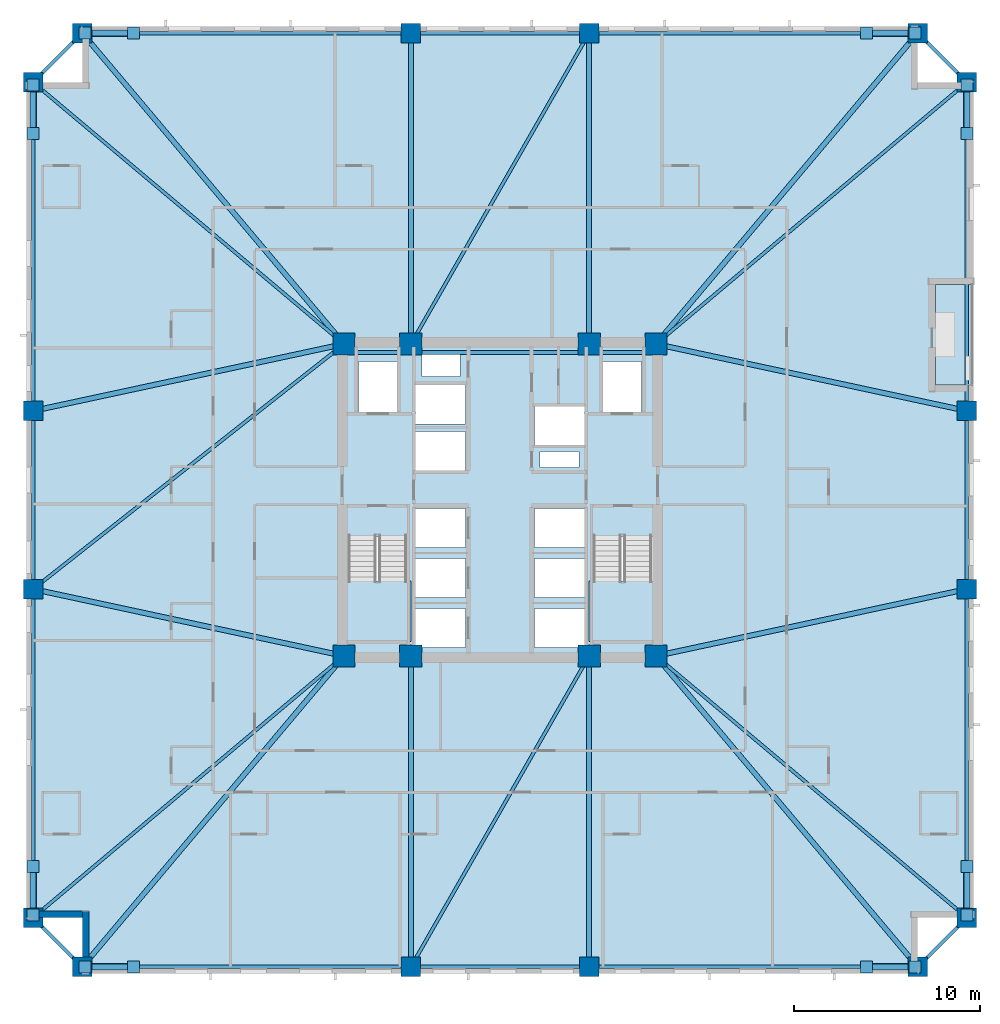
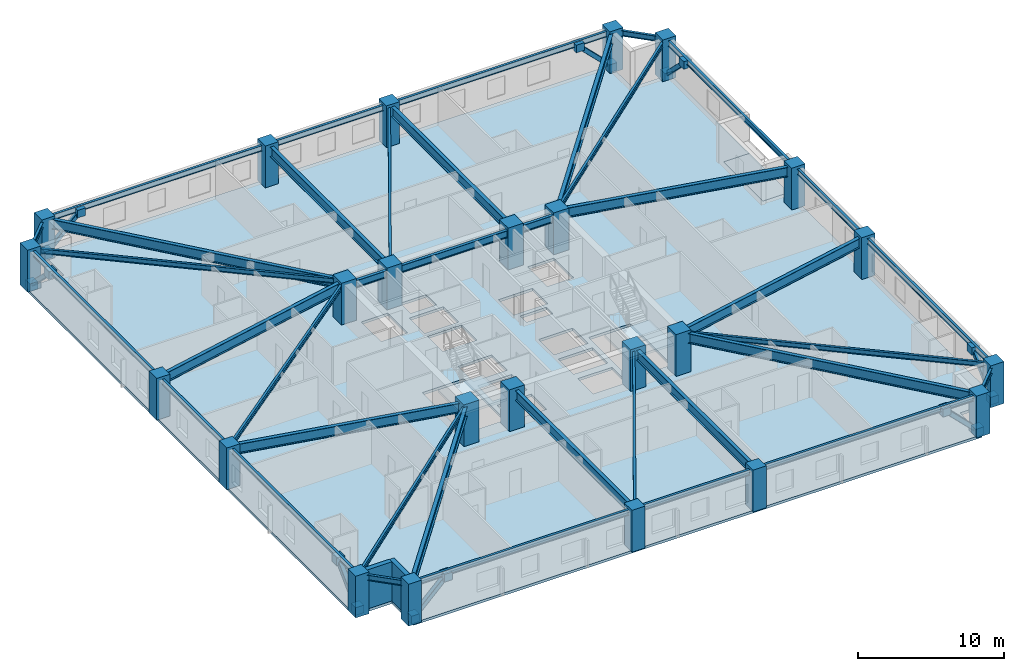
# One storey, part 1 of 11: 38 beams, 24 columns, 16 plates, 8 members, 4 slabs, 2 walls, 2 elements without a shape of their own.
"""IFC4 building model written with IfcOpenShell, lengths in metres."""

from ifc_helpers import new_model, si_unit, direction, frame, frame_2d, origin, origin_2d, place, context, subcontext, project, spatial, polyline, rectangle, hollow_rectangle, i_section, outline, extrude, material, layer, layer_set, material_profile, profile_set, type_object, element, aggregate, save


model = new_model("IFC4")

# Units and contexts
model_context = context("Model", 3, precision=1e-05, world=origin(), true_north=direction((0.0, 1.0)))
body_context = subcontext(model_context, "Body", "Model", "MODEL_VIEW")
ifc_project = project(units=[si_unit("LENGTHUNIT", "METRE"), si_unit("AREAUNIT", "SQUARE_METRE"), si_unit("VOLUMEUNIT", "CUBIC_METRE"), si_unit("PLANEANGLEUNIT", "RADIAN"), si_unit("MASSUNIT", "GRAM", prefix="KILO")], contexts=[model_context])

# Site, building, storey
site_placement = place(None, origin())
site = spatial("IfcSite", under=ifc_project, at=site_placement, CompositionType="ELEMENT")
building_placement = place(site_placement, origin())
building = spatial("IfcBuilding", under=site, at=building_placement, Name="Cairnveth Concourse Tower", CompositionType="ELEMENT")
storey_placement = place(building_placement, frame((0.0, 0.0, 79.5)))
storey = spatial("IfcBuildingStorey", under=building, at=storey_placement, Name="L21", CompositionType="ELEMENT", Elevation=79.5)

# Columns
ifc_material_1 = material(Name="Concrete N80 (80 MPa)", Category="concrete")
ifc_material_profile_1 = material_profile(ifc_material_1, rectangle(XDim=1.199951171875, YDim=1.199951171875, at=origin_2d()), Name="RC-COL-1200x1200")
ifc_profile_set_1 = profile_set([ifc_material_profile_1], Name="Concrete N80 (80 MPa)")
column_type_1 = type_object("IfcColumnType", Name="CORE COLUMN 1200X1200", PredefinedType="COLUMN", material=ifc_profile_set_1)
for number, where, z_axis, x_axis, name in (
    (1, (43.60009765625, 30.60009765625, 0.0), (0.0, 0.0, 1.0), (1.0, 0.0, 0.0), "Column CC1 L21"),
    (2, (47.199951171875, 30.60009765625, 0.0), (0.0, 0.0, 1.0), (1.0, 0.0, 0.0), "Column CC2 L21"),
    (3, (56.800048828125, 30.60009765625, 0.0), (0.0, 0.0, 1.0), (1.0, 0.0, 0.0), "Column CC3 L21"),
    (4, (60.39990234375, 30.60009765625, 0.0), (0.0, 0.0, 1.0), (1.0, 0.0, 0.0), "Column CC4 L21"),
    (5, (43.60009765625, 47.39990234375, 0.0), (0.0, 0.0, 1.0), (1.0, 0.0, 0.0), "Column CC5 L21"),
    (6, (47.199951171875, 47.39990234375, 0.0), (0.0, 0.0, 1.0), (1.0, 0.0, 0.0), "Column CC6 L21"),
    (7, (56.800048828125, 47.39990234375, 0.0), (0.0, 0.0, 1.0), (1.0, 0.0, 0.0), "Column CC7 L21"),
    (8, (60.39990234375, 47.39990234375, 0.0), (0.0, 0.0, 1.0), (1.0, 0.0, 0.0), "Column CC8 L21"),
):
    element("IfcColumn", number, at=place(storey_placement, frame(where, z_axis=z_axis, x_axis=x_axis)), inside=storey, type_object=column_type_1, Name=name, PredefinedType="COLUMN", context=body_context, shape_type="SweptSolid", body=[
        extrude(rectangle(XDim=1.199951171875, YDim=1.199951171875, at=origin_2d()), origin(), (0.0, 0.0, 1.0), 3.5),
    ])
ifc_material_2 = material(Name="Concrete N65 (65 MPa)", Category="concrete")
ifc_material_profile_2 = material_profile(ifc_material_2, rectangle(XDim=1.050048828125, YDim=1.050048828125, at=origin_2d()), Name="RC-COL-1050x1050")
ifc_profile_set_2 = profile_set([ifc_material_profile_2], Name="Concrete N65 (65 MPa)")
column_type_2 = type_object("IfcColumnType", Name="PERIMETER PIER COLUMN 1050X1050", PredefinedType="COLUMN", material=ifc_profile_set_2)
for number, where, z_axis, x_axis, name in (
    (9, (29.5, 13.85009765625, 0.0), (0.0, 0.0, 1.0), (1.0, 0.0, 0.0), "Column P-S1 L21"),
    (10, (47.199951171875, 13.85009765625, 0.0), (0.0, 0.0, 1.0), (1.0, 0.0, 0.0), "Column P-S2 L21"),
    (11, (56.800048828125, 13.85009765625, 0.0), (0.0, 0.0, 1.0), (1.0, 0.0, 0.0), "Column P-S3 L21"),
    (12, (74.5, 13.85009765625, 0.0), (0.0, 0.0, 1.0), (1.0, 0.0, 0.0), "Column P-S4 L21"),
    (13, (77.14990234375, 16.5, 0.0), (0.0, 0.0, 1.0), (0.0, 1.0, 0.0), "Column P-E1 L21"),
    (14, (77.14990234375, 34.199951171875, 0.0), (0.0, 0.0, 1.0), (0.0, 1.0, 0.0), "Column P-E2 L21"),
    (15, (77.14990234375, 43.800048828125, 0.0), (0.0, 0.0, 1.0), (0.0, 1.0, 0.0), "Column P-E3 L21"),
    (16, (77.14990234375, 61.5, 0.0), (0.0, 0.0, 1.0), (0.0, 1.0, 0.0), "Column P-E4 L21"),
    (17, (74.5, 64.14990234375, 0.0), (0.0, 0.0, 1.0), (1.0, 0.0, 0.0), "Column P-N1 L21"),
    (18, (56.800048828125, 64.14990234375, 0.0), (0.0, 0.0, 1.0), (1.0, 0.0, 0.0), "Column P-N2 L21"),
    (19, (47.199951171875, 64.14990234375, 0.0), (0.0, 0.0, 1.0), (1.0, 0.0, 0.0), "Column P-N3 L21"),
    (20, (29.5, 64.14990234375, 0.0), (0.0, 0.0, 1.0), (1.0, 0.0, 0.0), "Column P-N4 L21"),
    (21, (26.85009765625, 61.5, 0.0), (0.0, 0.0, 1.0), (0.0, 1.0, 0.0), "Column P-W1 L21"),
    (22, (26.85009765625, 43.800048828125, 0.0), (0.0, 0.0, 1.0), (0.0, 1.0, 0.0), "Column P-W2 L21"),
    (23, (26.85009765625, 34.199951171875, 0.0), (0.0, 0.0, 1.0), (0.0, 1.0, 0.0), "Column P-W3 L21"),
    (24, (26.85009765625, 16.5, 0.0), (0.0, 0.0, 1.0), (0.0, 1.0, 0.0), "Column P-W4 L21"),
):
    element("IfcColumn", number, at=place(storey_placement, frame(where, z_axis=z_axis, x_axis=x_axis)), inside=storey, type_object=column_type_2, Name=name, PredefinedType="COLUMN", context=body_context, shape_type="SweptSolid", body=[
        extrude(rectangle(XDim=1.050048828125, YDim=1.050048828125, at=origin_2d()), origin(), (0.0, 0.0, 1.0), 3.5),
    ])

# Beams
ifc_material_3 = material(Name="Steel Grade 350", Category="steel")
ifc_material_profile_3 = material_profile(ifc_material_3, i_section(OverallWidth=0.22802734375, OverallDepth=0.60693359375, WebThickness=0.01123046875, FlangeThickness=0.017333984375, FilletRadius=0.013916015625, at=origin_2d()), Name="610UB113")
ifc_profile_set_3 = profile_set([ifc_material_profile_3], Name="Steel Grade 350")
beam_type_1 = type_object("IfcBeamType", Name="CORE TIE BEAM 610UB113", PredefinedType="T_BEAM", material=ifc_profile_set_3)
for number, where, z_axis, x_axis, name in (
    (25, (43.60009765625, 46.949951171875, 2.9765625), (1.0, 0.0, 0.0), (0.0, 1.0, 0.0), "Beam CT-N1 L21"),
    (26, (56.800048828125, 46.949951171875, 2.9765625), (1.0, 0.0, 0.0), (0.0, 1.0, 0.0), "Beam CT-N3 L21"),
):
    element("IfcBeam", number, at=place(storey_placement, frame(where, z_axis=z_axis, x_axis=x_axis)), inside=storey, type_object=beam_type_1, Name=name, PredefinedType="T_BEAM", context=body_context, shape_type="SweptSolid", body=[
        extrude(i_section(OverallWidth=0.22802734375, OverallDepth=0.60693359375, WebThickness=0.01123046875, FlangeThickness=0.017333984375, FilletRadius=0.013916015625, at=origin_2d()), origin(), (0.0, 0.0, 1.0), 3.599853515625),
    ])
beam_1_placement = place(storey_placement, frame((47.199951171875, 46.949951171875, 2.9765625), z_axis=(1.0, 0.0, 0.0), x_axis=(0.0, 1.0, 0.0)))
element("IfcBeam", 27, at=beam_1_placement, inside=storey, type_object=beam_type_1, Name="Beam CT-N2 L21", PredefinedType="T_BEAM", context=body_context, shape_type="SweptSolid", body=[
    extrude(i_section(OverallWidth=0.22802734375, OverallDepth=0.60693359375, WebThickness=0.01123046875, FlangeThickness=0.017333984375, FilletRadius=0.013916015625, at=origin_2d()), origin(), (0.0, 0.0, 1.0), 9.60009765625),
])
ifc_material_profile_4 = material_profile(ifc_material_3, i_section(OverallWidth=0.177978515625, OverallDepth=0.406005859375, WebThickness=0.0078125, FlangeThickness=0.0126953125, FilletRadius=0.010986328125, at=origin_2d()), Name="410UB59.7")
ifc_profile_set_4 = profile_set([ifc_material_profile_4], Name="Steel Grade 350")
beam_type_2 = type_object("IfcBeamType", Name="ZONE 1 FLOOR JOIST 410UB59.7", PredefinedType="JOIST", material=ifc_profile_set_4)
for number, where, z_axis, x_axis, name in (
    (28, (26.85009765625, 16.5, 3.076904296875), (0.765027427674, 0.643997697905, 0.0), (-0.643997697905, 0.765027427674, 0.0), "Beam FJ-CSW2 L21"),
    (29, (77.14990234375, 16.5, 3.076904296875), (-0.765027427674, 0.643997697905, 0.0), (-0.643997697905, -0.765027427674, 0.0), "Beam FJ-CSE2 L21"),
    (30, (77.14990234375, 61.5, 3.076904296875), (-0.765027427674, -0.643997697905, 0.0), (0.643997697905, -0.765027427674, 0.0), "Beam FJ-CNE2 L21"),
    (31, (26.85009765625, 61.5, 3.076904296875), (0.765027427674, -0.643997697905, 0.0), (0.643997697905, 0.765027427674, 0.0), "Beam FJ-CNW2 L21"),
):
    element("IfcBeam", number, at=place(storey_placement, frame(where, z_axis=z_axis, x_axis=x_axis)), inside=storey, type_object=beam_type_2, Name=name, PredefinedType="JOIST", context=body_context, shape_type="SweptSolid", body=[
        extrude(i_section(OverallWidth=0.177978515625, OverallDepth=0.406005859375, WebThickness=0.0078125, FlangeThickness=0.0126953125, FilletRadius=0.010986328125, at=origin_2d()), origin(), (0.0, 0.0, 1.0), 21.89453125),
    ])
for number, where, z_axis, x_axis, name in (
    (32, (47.199951171875, 13.85009765625, 3.076904296875), (0.497257970706, 0.86760273776, 0.0), (-0.86760273776, 0.497257970706, 0.0), "Beam FJ-S-M1 L21"),
    (33, (47.199951171875, 47.39990234375, 3.076904296875), (0.497257970706, 0.86760273776, 0.0), (-0.86760273776, 0.497257970706, 0.0), "Beam FJ-N-M1 L21"),
):
    element("IfcBeam", number, at=place(storey_placement, frame(where, z_axis=z_axis, x_axis=x_axis)), inside=storey, type_object=beam_type_2, Name=name, PredefinedType="JOIST", context=body_context, shape_type="SweptSolid", body=[
        extrude(i_section(OverallWidth=0.177978515625, OverallDepth=0.406005859375, WebThickness=0.0078125, FlangeThickness=0.0126953125, FilletRadius=0.010986328125, at=origin_2d()), origin(), (0.0, 0.0, 1.0), 19.30615234375),
    ])
beam_2_placement = place(storey_placement, frame((26.85009765625, 34.199951171875, 3.076904296875), z_axis=(0.785423705995, 0.618958481694, 0.0), x_axis=(-0.618958481694, 0.785423705995, 0.0)))
element("IfcBeam", 34, at=beam_2_placement, inside=storey, type_object=beam_type_2, Name="Beam FJ-W-M1 L21", PredefinedType="JOIST", context=body_context, shape_type="SweptSolid", body=[
    extrude(i_section(OverallWidth=0.177978515625, OverallDepth=0.406005859375, WebThickness=0.0078125, FlangeThickness=0.0126953125, FilletRadius=0.010986328125, at=origin_2d()), origin(), (0.0, 0.0, 1.0), 21.326171875),
])

# Members
ifc_material_4 = material(Name="Steel C350L0 (350 MPa)", Category="steel")
ifc_material_profile_5 = material_profile(ifc_material_4, hollow_rectangle(XDim=0.35009765625, YDim=0.35009765625, WallThickness=0.01611328125, InnerFilletRadius=0.01611328125, OuterFilletRadius=0.031982421875, at=origin_2d()), Name="350x350x16.0SHS")
ifc_profile_set_5 = profile_set([ifc_material_profile_5], Name="Steel C350L0 (350 MPa)")
member_type = type_object("IfcMemberType", Name="ZONE 1 PIER BRACE 350X350X16SHS", PredefinedType="BRACE", material=ifc_profile_set_5)
for number, where, z_axis, x_axis, name in (
    (35, (29.64990234375, 13.85009765625, 0.25), (0.709834195787, 0.0, 0.704368805735), (0.0, 1.0, 0.0), "Structural Brace PB-S1 L21"),
    (36, (74.35009765625, 13.85009765625, 0.25), (-0.709834195787, 0.0, 0.704368805735), (0.0, -1.0, 0.0), "Structural Brace PB-S2 L21"),
    (37, (29.64990234375, 64.14990234375, 0.25), (0.709834195787, 0.0, 0.704368805735), (0.0, 1.0, 0.0), "Structural Brace PB-N1 L21"),
    (38, (74.35009765625, 64.14990234375, 0.25), (-0.709834195787, 0.0, 0.704368805735), (0.0, -1.0, 0.0), "Structural Brace PB-N2 L21"),
    (39, (26.85009765625, 16.64990234375, 0.25), (0.0, 0.709834195787, 0.704368805735), (-1.0, 0.0, 0.0), "Structural Brace PB-W1 L21"),
    (40, (26.85009765625, 61.35009765625, 0.25), (0.0, -0.709834195787, 0.704368805735), (1.0, 0.0, 0.0), "Structural Brace PB-W2 L21"),
    (41, (77.14990234375, 16.64990234375, 0.25), (0.0, 0.709834195787, 0.704368805735), (-1.0, 0.0, 0.0), "Structural Brace PB-E1 L21"),
    (42, (77.14990234375, 61.35009765625, 0.25), (0.0, -0.709834195787, 0.704368805735), (1.0, 0.0, 0.0), "Structural Brace PB-E2 L21"),
):
    element("IfcMember", number, at=place(storey_placement, frame(where, z_axis=z_axis, x_axis=x_axis)), inside=storey, type_object=member_type, Name=name, PredefinedType="BRACE", context=body_context, shape_type="SweptSolid", body=[
        extrude(hollow_rectangle(XDim=0.35009765625, YDim=0.35009765625, WallThickness=0.01611328125, InnerFilletRadius=0.01611328125, OuterFilletRadius=0.031982421875, at=origin_2d()), origin(), (0.0, 0.0, 1.0), 3.6630859375),
    ])

# Beams
ifc_material_profile_6 = material_profile(ifc_material_3, i_section(OverallWidth=0.27490234375, OverallDepth=0.81591796875, WebThickness=0.011962890625, FlangeThickness=0.028076171875, at=origin_2d()), Name="800WB192")
ifc_profile_set_6 = profile_set([ifc_material_profile_6], Name="Steel Grade 350")
beam_type_3 = type_object("IfcBeamType", Name="ZONE 1 RADIAL GIRDER 800WB192", PredefinedType="BEAM", material=ifc_profile_set_6)
for number, where, z_axis, x_axis, name in (
    (43, (47.199951171875, 13.85009765625, 2.8720703125), (0.0, 1.0, 0.0), (-1.0, 0.0, 0.0), "Beam RG-S1 L21"),
    (44, (56.800048828125, 13.85009765625, 2.8720703125), (0.0, 1.0, 0.0), (-1.0, 0.0, 0.0), "Beam RG-S2 L21"),
    (45, (47.199951171875, 47.39990234375, 2.8720703125), (0.0, 1.0, 0.0), (-1.0, 0.0, 0.0), "Beam RG-N1 L21"),
    (46, (56.800048828125, 47.39990234375, 2.8720703125), (0.0, 1.0, 0.0), (-1.0, 0.0, 0.0), "Beam RG-N2 L21"),
):
    element("IfcBeam", number, at=place(storey_placement, frame(where, z_axis=z_axis, x_axis=x_axis)), inside=storey, type_object=beam_type_3, Name=name, PredefinedType="BEAM", context=body_context, shape_type="SweptSolid", body=[
        extrude(i_section(OverallWidth=0.27490234375, OverallDepth=0.81591796875, WebThickness=0.011962890625, FlangeThickness=0.028076171875, at=origin_2d()), origin(), (0.0, 0.0, 1.0), 16.75),
    ])
for number, where, z_axis, x_axis, name in (
    (47, (26.85009765625, 34.199951171875, 2.8720703125), (0.977675861524, -0.210118799239, 0.0), (0.210118799239, 0.977675861524, 0.0), "Beam RG-W1 L21"),
    (48, (26.85009765625, 43.800048828125, 2.8720703125), (0.977675861524, 0.210118799239, 0.0), (-0.210118799239, 0.977675861524, 0.0), "Beam RG-W2 L21"),
    (49, (60.39990234375, 30.60009765625, 2.8720703125), (0.977675861524, 0.210118799239, 0.0), (-0.210118799239, 0.977675861524, 0.0), "Beam RG-E1 L21"),
    (50, (60.39990234375, 47.39990234375, 2.8720703125), (0.977675861524, -0.210118799239, 0.0), (0.210118799239, 0.977675861524, 0.0), "Beam RG-E2 L21"),
):
    element("IfcBeam", number, at=place(storey_placement, frame(where, z_axis=z_axis, x_axis=x_axis)), inside=storey, type_object=beam_type_3, Name=name, PredefinedType="BEAM", context=body_context, shape_type="SweptSolid", body=[
        extrude(i_section(OverallWidth=0.27490234375, OverallDepth=0.81591796875, WebThickness=0.011962890625, FlangeThickness=0.028076171875, at=origin_2d()), origin(), (0.0, 0.0, 1.0), 17.132568359375),
    ])
for number, where, z_axis, x_axis, name in (
    (51, (29.5, 13.85009765625, 2.8720703125), (0.643997697905, 0.765027427674, 0.0), (-0.765027427674, 0.643997697905, 0.0), "Beam RG-CSW L21"),
    (52, (74.5, 13.85009765625, 2.8720703125), (-0.643997697905, 0.765027427674, 0.0), (-0.765027427674, -0.643997697905, 0.0), "Beam RG-CSE L21"),
    (53, (74.5, 64.14990234375, 2.8720703125), (-0.643997697905, -0.765027427674, 0.0), (0.765027427674, -0.643997697905, 0.0), "Beam RG-CNE L21"),
    (54, (29.5, 64.14990234375, 2.8720703125), (0.643997697905, -0.765027427674, 0.0), (0.765027427674, 0.643997697905, 0.0), "Beam RG-CNW L21"),
):
    element("IfcBeam", number, at=place(storey_placement, frame(where, z_axis=z_axis, x_axis=x_axis)), inside=storey, type_object=beam_type_3, Name=name, PredefinedType="BEAM", context=body_context, shape_type="SweptSolid", body=[
        extrude(i_section(OverallWidth=0.27490234375, OverallDepth=0.81591796875, WebThickness=0.011962890625, FlangeThickness=0.028076171875, at=origin_2d()), origin(), (0.0, 0.0, 1.0), 21.89453125),
    ])
ifc_material_profile_7 = material_profile(ifc_material_3, i_section(OverallWidth=0.19091796875, OverallDepth=0.4599609375, WebThickness=0.010009765625, FlangeThickness=0.01611328125, FilletRadius=0.010986328125, at=origin_2d()), Name="460UB82.1")
ifc_profile_set_7 = profile_set([ifc_material_profile_7], Name="Steel Grade 350")
beam_type_4 = type_object("IfcBeamType", Name="ZONE 1 SPANDREL BEAM 460UB82.1", PredefinedType="SPANDREL", material=ifc_profile_set_7)
beam_3_placement = place(storey_placement, frame((29.5, 13.85009765625, 3.050048828125), z_axis=(1.0, 0.0, 0.0), x_axis=(0.0, 1.0, 0.0)))
element("IfcBeam", 55, at=beam_3_placement, inside=storey, type_object=beam_type_4, Name="Beam SP-S1 L21", PredefinedType="SPANDREL", context=body_context, shape_type="SweptSolid", body=[
    extrude(i_section(OverallWidth=0.19091796875, OverallDepth=0.4599609375, WebThickness=0.010009765625, FlangeThickness=0.01611328125, FilletRadius=0.010986328125, at=origin_2d()), origin(), (0.0, 0.0, 1.0), 17.699951171875),
])
beam_4_placement = place(storey_placement, frame((47.199951171875, 13.85009765625, 3.050048828125), z_axis=(1.0, 0.0, 0.0), x_axis=(0.0, 1.0, 0.0)))
element("IfcBeam", 56, at=beam_4_placement, inside=storey, type_object=beam_type_4, Name="Beam SP-S2 L21", PredefinedType="SPANDREL", context=body_context, shape_type="SweptSolid", body=[
    extrude(i_section(OverallWidth=0.19091796875, OverallDepth=0.4599609375, WebThickness=0.010009765625, FlangeThickness=0.01611328125, FilletRadius=0.010986328125, at=origin_2d()), origin(), (0.0, 0.0, 1.0), 9.60009765625),
])
for number, where, z_axis, x_axis, name in (
    (57, (56.800048828125, 13.85009765625, 3.050048828125), (1.0, 0.0, 0.0), (0.0, 1.0, 0.0), "Beam SP-S3 L21"),
    (58, (29.5, 64.14990234375, 3.050048828125), (1.0, 0.0, 0.0), (0.0, 1.0, 0.0), "Beam SP-N1 L21"),
):
    element("IfcBeam", number, at=place(storey_placement, frame(where, z_axis=z_axis, x_axis=x_axis)), inside=storey, type_object=beam_type_4, Name=name, PredefinedType="SPANDREL", context=body_context, shape_type="SweptSolid", body=[
        extrude(i_section(OverallWidth=0.19091796875, OverallDepth=0.4599609375, WebThickness=0.010009765625, FlangeThickness=0.01611328125, FilletRadius=0.010986328125, at=origin_2d()), origin(), (0.0, 0.0, 1.0), 17.699951171875),
    ])
beam_5_placement = place(storey_placement, frame((47.199951171875, 64.14990234375, 3.050048828125), z_axis=(1.0, 0.0, 0.0), x_axis=(0.0, 1.0, 0.0)))
element("IfcBeam", 59, at=beam_5_placement, inside=storey, type_object=beam_type_4, Name="Beam SP-N2 L21", PredefinedType="SPANDREL", context=body_context, shape_type="SweptSolid", body=[
    extrude(i_section(OverallWidth=0.19091796875, OverallDepth=0.4599609375, WebThickness=0.010009765625, FlangeThickness=0.01611328125, FilletRadius=0.010986328125, at=origin_2d()), origin(), (0.0, 0.0, 1.0), 9.60009765625),
])
for number, where, z_axis, x_axis, name in (
    (60, (56.800048828125, 64.14990234375, 3.050048828125), (1.0, 0.0, 0.0), (0.0, 1.0, 0.0), "Beam SP-N3 L21"),
    (61, (26.85009765625, 16.5, 3.050048828125), (0.0, 1.0, 0.0), (-1.0, 0.0, 0.0), "Beam SP-W1 L21"),
):
    element("IfcBeam", number, at=place(storey_placement, frame(where, z_axis=z_axis, x_axis=x_axis)), inside=storey, type_object=beam_type_4, Name=name, PredefinedType="SPANDREL", context=body_context, shape_type="SweptSolid", body=[
        extrude(i_section(OverallWidth=0.19091796875, OverallDepth=0.4599609375, WebThickness=0.010009765625, FlangeThickness=0.01611328125, FilletRadius=0.010986328125, at=origin_2d()), origin(), (0.0, 0.0, 1.0), 17.699951171875),
    ])
beam_6_placement = place(storey_placement, frame((26.85009765625, 34.199951171875, 3.050048828125), z_axis=(0.0, 1.0, 0.0), x_axis=(-1.0, 0.0, 0.0)))
element("IfcBeam", 62, at=beam_6_placement, inside=storey, type_object=beam_type_4, Name="Beam SP-W2 L21", PredefinedType="SPANDREL", context=body_context, shape_type="SweptSolid", body=[
    extrude(i_section(OverallWidth=0.19091796875, OverallDepth=0.4599609375, WebThickness=0.010009765625, FlangeThickness=0.01611328125, FilletRadius=0.010986328125, at=origin_2d()), origin(), (0.0, 0.0, 1.0), 9.60009765625),
])
for number, where, z_axis, x_axis, name in (
    (63, (26.85009765625, 43.800048828125, 3.050048828125), (0.0, 1.0, 0.0), (-1.0, 0.0, 0.0), "Beam SP-W3 L21"),
    (64, (77.14990234375, 16.5, 3.050048828125), (0.0, 1.0, 0.0), (-1.0, 0.0, 0.0), "Beam SP-E1 L21"),
):
    element("IfcBeam", number, at=place(storey_placement, frame(where, z_axis=z_axis, x_axis=x_axis)), inside=storey, type_object=beam_type_4, Name=name, PredefinedType="SPANDREL", context=body_context, shape_type="SweptSolid", body=[
        extrude(i_section(OverallWidth=0.19091796875, OverallDepth=0.4599609375, WebThickness=0.010009765625, FlangeThickness=0.01611328125, FilletRadius=0.010986328125, at=origin_2d()), origin(), (0.0, 0.0, 1.0), 17.699951171875),
    ])
beam_7_placement = place(storey_placement, frame((77.14990234375, 34.199951171875, 3.050048828125), z_axis=(0.0, 1.0, 0.0), x_axis=(-1.0, 0.0, 0.0)))
element("IfcBeam", 65, at=beam_7_placement, inside=storey, type_object=beam_type_4, Name="Beam SP-E2 L21", PredefinedType="SPANDREL", context=body_context, shape_type="SweptSolid", body=[
    extrude(i_section(OverallWidth=0.19091796875, OverallDepth=0.4599609375, WebThickness=0.010009765625, FlangeThickness=0.01611328125, FilletRadius=0.010986328125, at=origin_2d()), origin(), (0.0, 0.0, 1.0), 9.60009765625),
])
beam_8_placement = place(storey_placement, frame((77.14990234375, 43.800048828125, 3.050048828125), z_axis=(0.0, 1.0, 0.0), x_axis=(-1.0, 0.0, 0.0)))
element("IfcBeam", 66, at=beam_8_placement, inside=storey, type_object=beam_type_4, Name="Beam SP-E3 L21", PredefinedType="SPANDREL", context=body_context, shape_type="SweptSolid", body=[
    extrude(i_section(OverallWidth=0.19091796875, OverallDepth=0.4599609375, WebThickness=0.010009765625, FlangeThickness=0.01611328125, FilletRadius=0.010986328125, at=origin_2d()), origin(), (0.0, 0.0, 1.0), 17.699951171875),
])
for number, where, z_axis, x_axis, name in (
    (67, (26.85009765625, 16.5, 3.050048828125), (0.707106781187, -0.707106781187, 0.0), (0.707106781187, 0.707106781187, 0.0), "Beam SP-SW L21"),
    (68, (74.5, 13.85009765625, 3.050048828125), (0.707106781187, 0.707106781187, 0.0), (-0.707106781187, 0.707106781187, 0.0), "Beam SP-SE L21"),
    (69, (74.5, 64.14990234375, 3.050048828125), (0.707106781187, -0.707106781187, 0.0), (0.707106781187, 0.707106781187, 0.0), "Beam SP-NE L21"),
    (70, (26.85009765625, 61.5, 3.050048828125), (0.707106781187, 0.707106781187, 0.0), (-0.707106781187, 0.707106781187, 0.0), "Beam SP-NW L21"),
):
    element("IfcBeam", number, at=place(storey_placement, frame(where, z_axis=z_axis, x_axis=x_axis)), inside=storey, type_object=beam_type_4, Name=name, PredefinedType="SPANDREL", context=body_context, shape_type="SweptSolid", body=[
        extrude(i_section(OverallWidth=0.19091796875, OverallDepth=0.4599609375, WebThickness=0.010009765625, FlangeThickness=0.01611328125, FilletRadius=0.010986328125, at=origin_2d()), origin(), (0.0, 0.0, 1.0), 3.74755859375),
    ])

# Slab
ifc_material_5 = material(Name="Concrete N50 (50 MPa)", Category="concrete")
ifc_layer_1 = layer(ifc_material_5, 0.219970703125)
ifc_layer_set_1 = layer_set([ifc_layer_1], Name="Concrete N50 (50 MPa)")
slab_type_1 = type_object("IfcSlabType", Name="LOWER TOWER COMPOSITE SLAB 220", PredefinedType="FLOOR", material=ifc_layer_set_1)
slab_1_placement = place(storey_placement, frame((0.0, 0.0, -0.219970703125)))
element("IfcSlab", 71, at=slab_1_placement, inside=storey, type_object=slab_type_1, Name="Tower Floor Slab L21", PredefinedType="FLOOR", context=body_context, shape_type="SweptSolid", body=[
    extrude(outline(polyline([(77.5, 45.199951171875), (75.449951171875, 45.199951171875), (75.449951171875, 50.60009765625), (77.5, 50.60009765625), (77.5, 61.5), (74.5, 61.5), (74.5, 64.5), (29.5, 64.5), (29.5, 61.5), (26.5, 61.5), (26.5, 16.5), (29.5, 16.5), (29.5, 13.5), (74.5, 13.5), (74.5, 16.5), (77.5, 16.5), (77.5, 45.199951171875)]), holes=[polyline([(43.760009765625, 31.360107421875), (47.06005859375, 31.360107421875), (47.06005859375, 37.0400390625), (43.760009765625, 37.0400390625), (43.760009765625, 31.360107421875)]), polyline([(56.93994140625, 31.360107421875), (60.239990234375, 31.360107421875), (60.239990234375, 37.0400390625), (56.93994140625, 37.0400390625), (56.93994140625, 31.360107421875)]), polyline([(44.3701171875, 43.75), (46.469970703125, 43.75), (46.469970703125, 46.449951171875), (44.3701171875, 46.449951171875), (44.3701171875, 43.75)]), polyline([(57.530029296875, 43.75), (59.6298828125, 43.75), (59.6298828125, 46.449951171875), (57.530029296875, 46.449951171875), (57.530029296875, 43.75)]), polyline([(47.449951171875, 31.050048828125), (50.14990234375, 31.050048828125), (50.14990234375, 33.14990234375), (47.449951171875, 33.14990234375), (47.449951171875, 31.050048828125)]), polyline([(47.449951171875, 33.75), (50.14990234375, 33.75), (50.14990234375, 35.85009765625), (47.449951171875, 35.85009765625), (47.449951171875, 33.75)]), polyline([(47.449951171875, 36.449951171875), (50.14990234375, 36.449951171875), (50.14990234375, 38.550048828125), (47.449951171875, 38.550048828125), (47.449951171875, 36.449951171875)]), polyline([(53.85009765625, 31.050048828125), (56.550048828125, 31.050048828125), (56.550048828125, 33.14990234375), (53.85009765625, 33.14990234375), (53.85009765625, 31.050048828125)]), polyline([(53.85009765625, 33.75), (56.550048828125, 33.75), (56.550048828125, 35.85009765625), (53.85009765625, 35.85009765625), (53.85009765625, 33.75)]), polyline([(53.85009765625, 36.449951171875), (56.550048828125, 36.449951171875), (56.550048828125, 38.550048828125), (53.85009765625, 38.550048828125), (53.85009765625, 36.449951171875)]), polyline([(47.449951171875, 40.60009765625), (50.14990234375, 40.60009765625), (50.14990234375, 42.699951171875), (47.449951171875, 42.699951171875), (47.449951171875, 40.60009765625)]), polyline([(47.449951171875, 43.10009765625), (50.14990234375, 43.10009765625), (50.14990234375, 45.199951171875), (47.449951171875, 45.199951171875), (47.449951171875, 43.10009765625)]), polyline([(53.85009765625, 41.949951171875), (56.550048828125, 41.949951171875), (56.550048828125, 44.050048828125), (53.85009765625, 44.050048828125), (53.85009765625, 41.949951171875)]), polyline([(47.800048828125, 45.64990234375), (49.85009765625, 45.64990234375), (49.85009765625, 47.050048828125), (47.800048828125, 47.050048828125), (47.800048828125, 45.64990234375)]), polyline([(54.14990234375, 40.75), (56.25, 40.75), (56.25, 41.6201171875), (54.14990234375, 41.6201171875), (54.14990234375, 40.75)])]), origin(), (0.0, 0.0, 1.0), 0.219970703125),
])

# Plates
ifc_layer_2 = layer(ifc_material_3, 0.031982421875)
ifc_layer_set_2 = layer_set([ifc_layer_2], Name="Steel Grade 350")
plate_type = type_object("IfcPlateType", Name="PERIMETER BRACE GUSSET PLATE 32", PredefinedType="USERDEFINED", material=ifc_layer_set_2)
for number, where, z_axis, x_axis, name in (
    (72, (29.64990234375, 13.85009765625, -0.06982421875), (0.0, 0.0, 1.0), (1.0, 0.0, 0.0), "Structural Node Plate 0317 L21"),
    (73, (32.25, 13.85009765625, 2.51025390625), (0.0, 0.0, 1.0), (1.0, 0.0, 0.0), "Structural Node Plate 0318 L21"),
    (74, (74.35009765625, 13.85009765625, -0.06982421875), (0.0, 0.0, 1.0), (1.0, 0.0, 0.0), "Structural Node Plate 0319 L21"),
    (75, (71.75, 13.85009765625, 2.51025390625), (0.0, 0.0, 1.0), (1.0, 0.0, 0.0), "Structural Node Plate 0320 L21"),
    (76, (29.64990234375, 64.14990234375, -0.06982421875), (0.0, 0.0, 1.0), (1.0, 0.0, 0.0), "Structural Node Plate 0321 L21"),
    (77, (32.25, 64.14990234375, 2.51025390625), (0.0, 0.0, 1.0), (1.0, 0.0, 0.0), "Structural Node Plate 0322 L21"),
    (78, (74.35009765625, 64.14990234375, -0.06982421875), (0.0, 0.0, 1.0), (1.0, 0.0, 0.0), "Structural Node Plate 0323 L21"),
    (79, (71.75, 64.14990234375, 2.51025390625), (0.0, 0.0, 1.0), (1.0, 0.0, 0.0), "Structural Node Plate 0324 L21"),
    (80, (26.85009765625, 16.64990234375, -0.06982421875), (0.0, 0.0, 1.0), (1.0, 0.0, 0.0), "Structural Node Plate 0325 L21"),
    (81, (26.85009765625, 19.25, 2.51025390625), (0.0, 0.0, 1.0), (1.0, 0.0, 0.0), "Structural Node Plate 0326 L21"),
    (82, (26.85009765625, 61.35009765625, -0.06982421875), (0.0, 0.0, 1.0), (1.0, 0.0, 0.0), "Structural Node Plate 0327 L21"),
    (83, (26.85009765625, 58.75, 2.51025390625), (0.0, 0.0, 1.0), (1.0, 0.0, 0.0), "Structural Node Plate 0328 L21"),
    (84, (77.14990234375, 16.64990234375, -0.06982421875), (0.0, 0.0, 1.0), (1.0, 0.0, 0.0), "Structural Node Plate 0329 L21"),
    (85, (77.14990234375, 19.25, 2.51025390625), (0.0, 0.0, 1.0), (1.0, 0.0, 0.0), "Structural Node Plate 0330 L21"),
    (86, (77.14990234375, 61.35009765625, -0.06982421875), (0.0, 0.0, 1.0), (1.0, 0.0, 0.0), "Structural Node Plate 0331 L21"),
    (87, (77.14990234375, 58.75, 2.51025390625), (0.0, 0.0, 1.0), (1.0, 0.0, 0.0), "Structural Node Plate 0332 L21"),
):
    element("IfcPlate", number, at=place(storey_placement, frame(where, z_axis=z_axis, x_axis=x_axis)), inside=storey, type_object=plate_type, Name=name, ObjectType="GUSSET PLATE", PredefinedType="USERDEFINED", context=body_context, shape_type="SweptSolid", body=[
        extrude(rectangle(XDim=0.639892578125, YDim=0.639892578125, at=origin_2d()), origin(), (0.0, 0.0, 1.0), 0.639892578125),
    ])

# Slab
ifc_layer_3 = layer(ifc_material_5, 0.18994140625)
ifc_layer_set_3 = layer_set([ifc_layer_3], Name="Concrete N50 (50 MPa)")
slab_type_2 = type_object("IfcSlabType", Name="SPIRAL OUTDOOR TERRACE SLAB 190", PredefinedType="FLOOR", material=ifc_layer_set_3)
slab_2_placement = place(storey_placement, frame((0.0, 0.0, -0.18994140625)))
element("IfcSlab", 88, at=slab_2_placement, inside=storey, type_object=slab_type_2, Name="Spiral Terrace Slab L21", PredefinedType="FLOOR", context=body_context, shape_type="SweptSolid", body=[
    extrude(outline(polyline([(75.449951171875, 45.199951171875), (77.5, 45.199951171875), (77.5, 50.60009765625), (75.449951171875, 50.60009765625), (75.449951171875, 45.199951171875)])), origin(), (0.0, 0.0, 1.0), 0.18994140625),
])

# Stair, slab
ifc_material_6 = material(Name="Precast concrete N50 (50 MPa)", Category="concrete")
stair_type = type_object("IfcStairType", Name="CORE DOG-LEG FIRE STAIR 1500", PredefinedType="HALF_TURN_STAIR", material=ifc_material_6)
stair_1_placement = place(storey_placement, origin())
stair_1 = element("IfcStair", 89, at=stair_1_placement, inside=storey, type_object=stair_type, Name="L21 Fire-Isolated Stair ST-1", PredefinedType="HALF_TURN_STAIR")
ifc_layer_4 = layer(ifc_material_5, 0.199951171875)
ifc_layer_set_4 = layer_set([ifc_layer_4], Name="Concrete N50 (50 MPa)")
slab_type_3 = type_object("IfcSlabType", Name="STAIR HALF LANDING SLAB 200", PredefinedType="LANDING", material=ifc_layer_set_4)
slab_3_placement = place(storey_placement, frame((0.0, 0.0, 1.550048828125)))
slab_3 = element("IfcSlab", 90, at=slab_3_placement, type_object=slab_type_3, Name="ST-1 landing 1", PredefinedType="LANDING", context=body_context, shape_type="SweptSolid", body=[
    extrude(outline(polyline([(43.6201171875, 34.639892578125), (43.6201171875, 31.3701171875), (47.199951171875, 31.3701171875), (47.199951171875, 34.639892578125), (43.6201171875, 34.639892578125)])), origin(), (0.0, 0.0, 1.0), 0.199951171875),
])
aggregate(stair_1, [slab_3])

stair_2_placement = place(storey_placement, origin())
stair_2 = element("IfcStair", 91, at=stair_2_placement, inside=storey, type_object=stair_type, Name="L21 Fire-Isolated Stair ST-2", PredefinedType="HALF_TURN_STAIR")
slab_4_placement = place(storey_placement, frame((0.0, 0.0, 1.550048828125)))
slab_4 = element("IfcSlab", 92, at=slab_4_placement, type_object=slab_type_3, Name="ST-2 landing 1", PredefinedType="LANDING", context=body_context, shape_type="SweptSolid", body=[
    extrude(outline(polyline([(56.800048828125, 34.639892578125), (56.800048828125, 31.3701171875), (60.3798828125, 31.3701171875), (60.3798828125, 34.639892578125), (56.800048828125, 34.639892578125)])), origin(), (0.0, 0.0, 1.0), 0.199951171875),
])
aggregate(stair_2, [slab_4])

# Walls
ifc_material_7 = material(Name="Hawthorn Red-Ochre Fired Clay Brick Masonry", Category="masonry")
ifc_layer_5 = layer(ifc_material_7, 0.360107421875)
ifc_layer_set_5 = layer_set([ifc_layer_5], Name="Hawthorn Red-Ochre Fired Clay Brick Masonry")
wall_type = type_object("IfcWallType", Name="ZONE 1 BRICK PIER SPANDREL WALL 360", PredefinedType="SOLIDWALL", material=ifc_layer_set_5)
wall_1_placement = place(storey_placement, frame((29.679931640625, 13.5, 0.0), z_axis=(0.0, 0.0, 1.0), x_axis=(0.0, 1.0, 0.0)))
element("IfcWall", 93, at=wall_1_placement, inside=storey, type_object=wall_type, Name="Exterior Wall EW-L21-S04", PredefinedType="SOLIDWALL", context=body_context, shape_type="SweptSolid", body=[
    extrude(rectangle(XDim=3.360107421875, YDim=0.360107421875, at=frame_2d((1.68017578125, 0.0))), origin(), (0.0, 0.0, 1.0), 3.280029296875),
])
wall_2_placement = place(storey_placement, frame((29.52197265625, 16.679931640625, 0.0), z_axis=(0.0, 0.0, 1.0), x_axis=(-1.0, 0.0, 0.0)))
element("IfcWall", 94, at=wall_2_placement, inside=storey, type_object=wall_type, Name="Exterior Wall EW-L21-S05", PredefinedType="SOLIDWALL", context=body_context, shape_type="SweptSolid", body=[
    extrude(rectangle(XDim=2.68408203125, YDim=0.360107421875, at=frame_2d((1.342041015625, 0.0))), origin(), (0.0, 0.0, 1.0), 3.280029296875),
])

save(model, "model.ifc")
